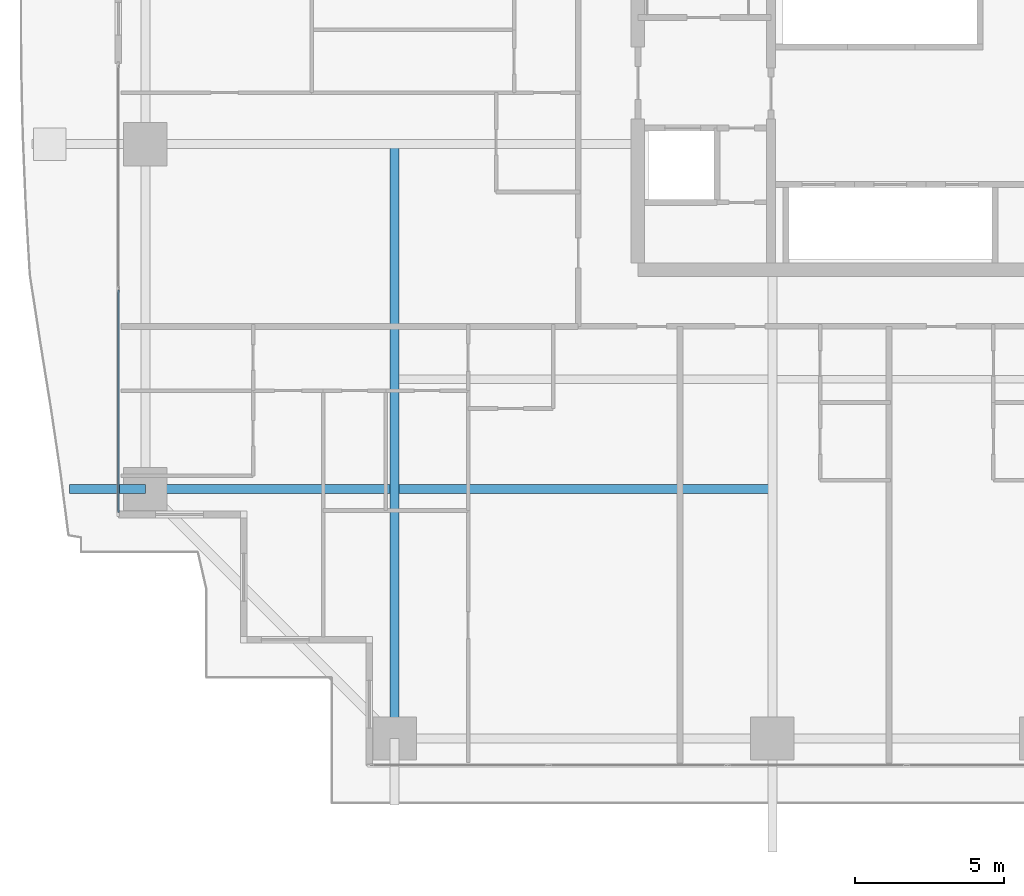
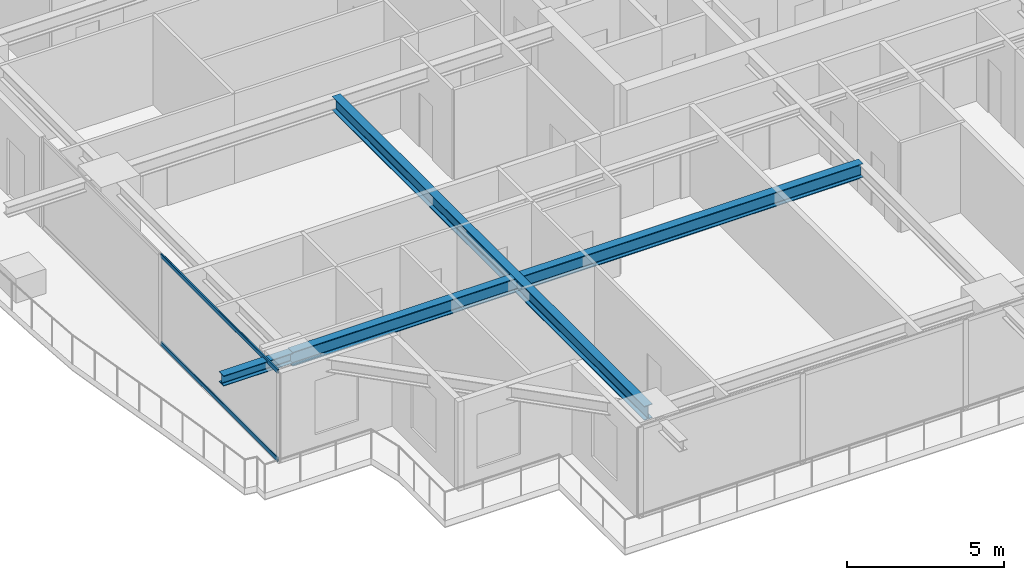
# One storey, part 3 of 35: 3 beams, 2 members, 1 element without a shape of its own.
"""IFC4 building model written with IfcOpenShell, lengths in metres."""

from ifc_helpers import new_model, si_unit, direction, frame, origin, origin_2d, place, context, subcontext, project, spatial, hollow_rectangle, i_section, extrude, source, transform, mapped, material, layer, layer_set, material_profile, profile_set, type_object, element, aggregate, save


model = new_model("IFC4")

# Units and contexts
model_context = context("Model", 3, precision=1e-05, world=origin(), true_north=direction((0.0, 1.0)))
body_context = subcontext(model_context, "Body", "Model", "MODEL_VIEW")
ifc_project = project(units=[si_unit("LENGTHUNIT", "METRE"), si_unit("AREAUNIT", "SQUARE_METRE"), si_unit("VOLUMEUNIT", "CUBIC_METRE"), si_unit("PLANEANGLEUNIT", "RADIAN"), si_unit("MASSUNIT", "GRAM", prefix="KILO")], contexts=[model_context])

# Site, building, storey
site_placement = place(None, origin())
site = spatial("IfcSite", under=ifc_project, at=site_placement, CompositionType="ELEMENT")
building_placement = place(site_placement, origin())
building = spatial("IfcBuilding", under=site, at=building_placement, Name="Serunith Strait Residences", CompositionType="ELEMENT")
storey_placement = place(building_placement, frame((0.0, 0.0, 56.699951171875)))
storey = spatial("IfcBuildingStorey", under=building, at=storey_placement, Name="L13", CompositionType="ELEMENT", Elevation=56.699951171875)

# Beams
ifc_material_1 = material(Name="Steel S355J2", Category="steel")
ifc_material_profile_1 = material_profile(ifc_material_1, i_section(OverallWidth=0.300048828125, OverallDepth=0.550048828125, WebThickness=0.014892578125, FlangeThickness=0.029052734375, FilletRadius=0.027099609375, at=origin_2d()), Name="HEB 550")
ifc_profile_set_1 = profile_set([ifc_material_profile_1], Name="Steel S355J2")
beam_type_1 = type_object("IfcBeamType", Name="BM-HEB550", PredefinedType="BEAM", material=ifc_profile_set_1)
shared_shape_1 = source(origin(), body_context, "Body", "SweptSolid", [
    extrude(i_section(OverallWidth=0.300048828125, OverallDepth=0.550048828125, WebThickness=0.014892578125, FlangeThickness=0.029052734375, FilletRadius=0.027099609375, at=origin_2d()), origin(), (0.0, 0.0, 1.0), 19.89990234375),
])
beam_1_placement = place(storey_placement, frame((15.25, 21.0, 3.212158203125), z_axis=(0.0, -1.0, 0.0), x_axis=(1.0, 0.0, 0.0)))
element("IfcBeam", 1, at=beam_1_placement, inside=storey, type_object=beam_type_1, Name="L13 Orthogonal Corner Girder TC-S1", PredefinedType="BEAM", context=body_context, shape_type="MappedRepresentation", body=[
    mapped(shared_shape_1, transform((0.0, 0.0, 0.0), scale=1.0)),
])
shared_shape_2 = source(origin(), body_context, "Body", "SweptSolid", [
    extrude(i_section(OverallWidth=0.300048828125, OverallDepth=0.550048828125, WebThickness=0.014892578125, FlangeThickness=0.029052734375, FilletRadius=0.027099609375, at=origin_2d()), origin(), (0.0, 0.0, 1.0), 21.0),
])
beam_2_placement = place(storey_placement, frame((27.89990234375, 9.449951171875, 3.212158203125), z_axis=(-1.0, 0.0, 0.0), x_axis=(0.0, -1.0, 0.0)))
element("IfcBeam", 2, at=beam_2_placement, inside=storey, type_object=beam_type_1, Name="L13 Orthogonal Corner Girder TC-W1", PredefinedType="BEAM", context=body_context, shape_type="MappedRepresentation", body=[
    mapped(shared_shape_2, transform((0.0, 0.0, 0.0), scale=1.0)),
])
ifc_material_profile_2 = material_profile(ifc_material_1, i_section(OverallWidth=0.300048828125, OverallDepth=0.39990234375, WebThickness=0.013427734375, FlangeThickness=0.02392578125, FilletRadius=0.027099609375, at=origin_2d()), Name="HEB 400")
ifc_profile_set_2 = profile_set([ifc_material_profile_2], Name="Steel S355J2")
beam_type_2 = type_object("IfcBeamType", Name="BM-HEB400", PredefinedType="BEAM", material=ifc_profile_set_2)
shared_shape_3 = source(origin(), body_context, "Body", "SweptSolid", [
    extrude(i_section(OverallWidth=0.300048828125, OverallDepth=0.39990234375, WebThickness=0.013427734375, FlangeThickness=0.02392578125, FilletRadius=0.027099609375, at=origin_2d()), origin(), (0.0, 0.0, 1.0), 2.538330078125),
])
beam_3_placement = place(storey_placement, frame((6.89990234375, 9.449951171875, 3.257080078125), z_axis=(-1.0, 0.0, 0.0), x_axis=(0.0, -1.0, 0.0)))
element("IfcBeam", 3, at=beam_3_placement, inside=storey, type_object=beam_type_2, Name="L14 Cantilevered Balcony Rib TC-W1", PredefinedType="BEAM", context=body_context, shape_type="MappedRepresentation", body=[
    mapped(shared_shape_3, transform((0.0, 0.0, 0.0), scale=1.0)),
])

# Curtain wall, members
ifc_material_2 = material(Name="Pale-Champagne Anodised Aluminium", Category="aluminium")
ifc_layer = layer(ifc_material_2, 0.199951171875, Name="Pale-Champagne Anodised Aluminium")
ifc_layer_set = layer_set([ifc_layer], Name="Pale-Champagne Anodised Aluminium")
curtain_wall_type = type_object("IfcCurtainWallType", Name="CW-SYS1", PredefinedType="NOTDEFINED", material=ifc_layer_set)
curtain_wall_placement = place(storey_placement, origin())
curtain_wall = element("IfcCurtainWall", 4, at=curtain_wall_placement, inside=storey, type_object=curtain_wall_type, Name="L13 W Unitised Fritted Curtain Wall", PredefinedType="NOTDEFINED")
ifc_material_profile_3 = material_profile(ifc_material_2, hollow_rectangle(XDim=0.06005859375, YDim=0.159912109375, WallThickness=0.00341796875, InnerFilletRadius=0.00537109375, OuterFilletRadius=0.0087890625, at=origin_2d()), Name="ALU 160x60x3.5")
ifc_profile_set_3 = profile_set([ifc_material_profile_3], Name="Pale-Champagne Anodised Aluminium")
member_type = type_object("IfcMemberType", Name="CW-SYS1-TRAN", PredefinedType="USERDEFINED", material=ifc_profile_set_3)
shared_shape_4 = source(origin(), body_context, "Body", "SweptSolid", [
    extrude(hollow_rectangle(XDim=0.06005859375, YDim=0.159912109375, WallThickness=0.00341796875, InnerFilletRadius=0.00537109375, OuterFilletRadius=0.0087890625, at=origin_2d()), origin(), (0.0, 0.0, 1.0), 7.445068359375),
])
member_1_placement = place(storey_placement, frame((6.0, 16.114990234375, 0.030029296875), z_axis=(0.0, -1.0, 0.0), x_axis=(1.0, 0.0, 0.0)))
member_1 = element("IfcMember", 5, at=member_1_placement, type_object=member_type, Name="CW-1 transom 2.1", ObjectType="TRANSOM", PredefinedType="USERDEFINED", context=body_context, shape_type="MappedRepresentation", body=[
    mapped(shared_shape_4, transform((0.0, 0.0, 0.0), scale=1.0)),
])
member_2_placement = place(storey_placement, frame((6.0, 16.114990234375, 3.445068359375), z_axis=(0.0, -1.0, 0.0), x_axis=(1.0, 0.0, 0.0)))
member_2 = element("IfcMember", 6, at=member_2_placement, type_object=member_type, Name="CW-1 transom 2.2", ObjectType="TRANSOM", PredefinedType="USERDEFINED", context=body_context, shape_type="MappedRepresentation", body=[
    mapped(shared_shape_4, transform((0.0, 0.0, 0.0), scale=1.0)),
])
aggregate(curtain_wall, [member_1, member_2])

save(model, "model.ifc")
